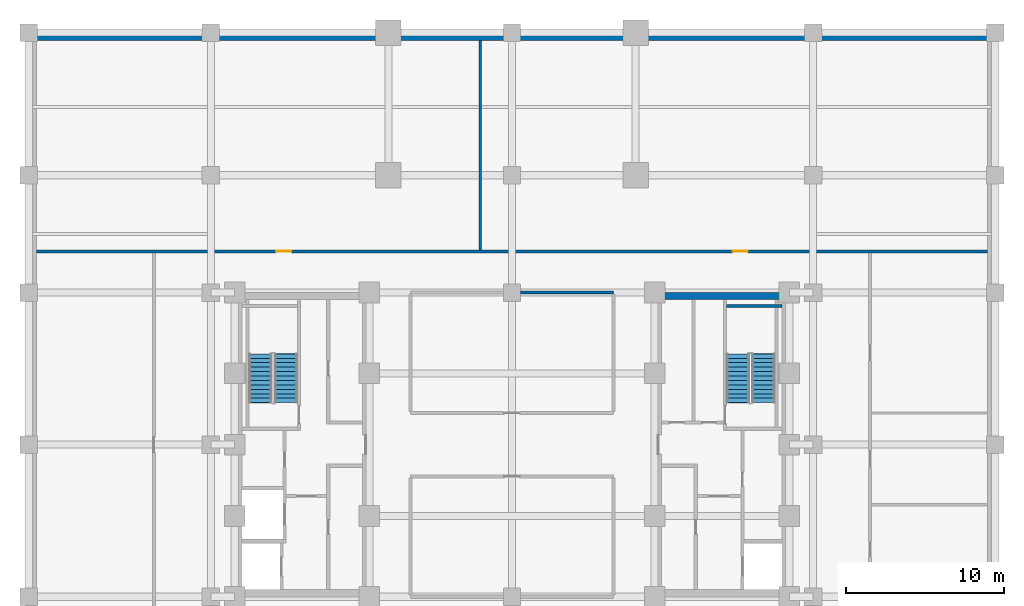
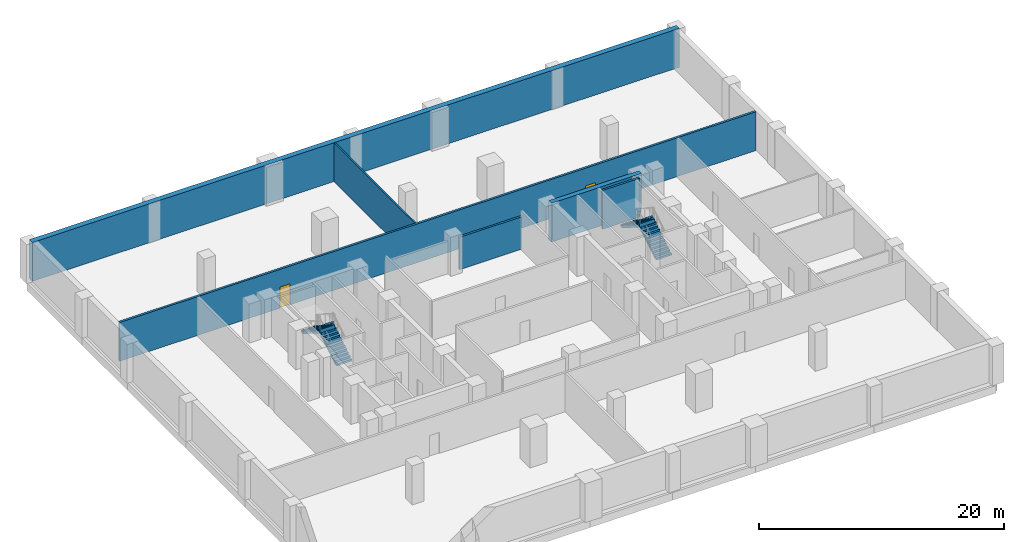
# One storey, part 5 of 6: 6 walls, 4 stair flights, 2 doors, 2 openings, 2 elements without a shape of their own.
"""IFC4 building model written with IfcOpenShell, lengths in metres."""

from ifc_helpers import new_model, si_unit, direction, frame, frame_2d, origin, place, context, subcontext, project, spatial, polyline, rectangle, outline, extrude, source, transform, mapped, material, layer, layer_set, type_object, type_shapes, element, fill, aggregate, save


model = new_model("IFC4")

# Units and contexts
model_context = context("Model", 3, precision=1e-05, world=origin(), true_north=direction((0.0, 1.0)))
body_context = subcontext(model_context, "Body", "Model", "MODEL_VIEW")
ifc_project = project(units=[si_unit("LENGTHUNIT", "METRE"), si_unit("AREAUNIT", "SQUARE_METRE"), si_unit("VOLUMEUNIT", "CUBIC_METRE"), si_unit("PLANEANGLEUNIT", "RADIAN"), si_unit("MASSUNIT", "GRAM", prefix="KILO")], contexts=[model_context])

# Site, building, storey
site_placement = place(None, origin())
site = spatial("IfcSite", under=ifc_project, at=site_placement, CompositionType="ELEMENT")
building_placement = place(site_placement, origin())
building = spatial("IfcBuilding", under=site, at=building_placement, Name="Nuvemarco Arch Tower", CompositionType="ELEMENT")
storey_placement = place(building_placement, frame((0.0, 0.0, -4.199951171875)))
storey = spatial("IfcBuildingStorey", under=building, at=storey_placement, Name="B01", CompositionType="ELEMENT", Elevation=-4.199951171875)

# Walls
ifc_material_1 = material(Name="Concrete C60/75", Category="concrete")
ifc_layer_1 = layer(ifc_material_1, 0.449951171875, Name="WL-CORE-450")
ifc_layer_set_1 = layer_set([ifc_layer_1], Name="Concrete C60/75")
wall_type_1 = type_object("IfcWallType", Name="WL-CORE-450", PredefinedType="SHEAR", material=ifc_layer_set_1)
wall_1_placement = place(storey_placement, frame((9.0, 9.375, 0.0), z_axis=(0.0, 0.0, 1.0), x_axis=(1.0, 0.0, 0.0)))
element("IfcWall", 1, at=wall_1_placement, inside=storey, type_object=wall_type_1, Name="B01 E-core shear wall N", PredefinedType="SHEAR", context=body_context, shape_type="SweptSolid", body=[
    extrude(rectangle(XDim=8.5, YDim=0.449951171875, at=frame_2d((4.25, 0.0))), origin(), (0.0, 0.0, 1.0), 3.8798828125),
])
ifc_material_2 = material(Name="Precast concrete C45/55", Category="concrete")
ifc_layer_2 = layer(ifc_material_2, 0.199951171875, Name="WL-PLANT-200")
ifc_layer_set_2 = layer_set([ifc_layer_2], Name="Precast concrete C45/55")
wall_type_2 = type_object("IfcWallType", Name="WL-PLANT-200", PredefinedType="STANDARD", material=ifc_layer_set_2)
wall_2_placement = place(storey_placement, frame((0.5458984375, 9.60009765625, 0.0), z_axis=(0.0, 0.0, 1.0), x_axis=(1.0, 0.0, 0.0)))
element("IfcWall", 2, at=wall_2_placement, inside=storey, type_object=wall_type_2, Name="B01 interior wall IW-B01-010", PredefinedType="STANDARD", context=body_context, shape_type="SweptSolid", body=[
    extrude(rectangle(XDim=5.85400390625, YDim=0.199951171875, at=frame_2d((2.927001953125, 0.0))), origin(), (0.0, 0.0, 1.0), 3.23486328125),
])

# Wall, openings, doors
wall_3_placement = place(storey_placement, frame((-30.0, 12.199951171875, 0.0), z_axis=(0.0, 0.0, 1.0), x_axis=(1.0, 0.0, 0.0)))
wall_3 = element("IfcWall", 3, at=wall_3_placement, inside=storey, type_object=wall_type_2, Name="B01 interior wall IW-B01-011", PredefinedType="STANDARD", context=body_context, shape_type="SweptSolid", body=[
    extrude(rectangle(XDim=60.0, YDim=0.199951171875, at=frame_2d((30.0, 0.0))), origin(), (0.0, 0.0, 1.0), 3.869873046875),
])
opening_1_placement = place(wall_3_placement, frame((15.1201171875, 0.0, 0.0)))
opening_1 = element("IfcOpeningElement", 4, at=opening_1_placement, cuts=wall_3, Name="Opening FD-5", PredefinedType="OPENING", context=body_context, shape_type="SweptSolid", body=[
    extrude(rectangle(XDim=0.9599609375, YDim=2.10009765625, at=frame_2d((0.47998046875, 1.050048828125))), frame((0.0, 0.10986328125, 0.0), z_axis=(0.0, -1.0, 0.0), x_axis=(1.0, 0.0, 0.0)), (0.0, 0.0, 1.0), 0.219970703125),
])
opening_2_placement = place(wall_3_placement, frame((43.919921875, 0.0, 0.0)))
opening_2 = element("IfcOpeningElement", 5, at=opening_2_placement, cuts=wall_3, Name="Opening FD-5", PredefinedType="OPENING", context=body_context, shape_type="SweptSolid", body=[
    extrude(rectangle(XDim=0.9599609375, YDim=2.10009765625, at=frame_2d((0.47998046875, 1.050048828125))), frame((0.0, 0.10986328125, 0.0), z_axis=(0.0, -1.0, 0.0), x_axis=(1.0, 0.0, 0.0)), (0.0, 0.0, 1.0), 0.219970703125),
])
ifc_material_3 = material(Name="Timber fire door", Category="wood")
door_type = type_object("IfcDoorType", Name="DR-CORR-FD", OperationType="NOTDEFINED", PredefinedType="DOOR", material=ifc_material_3)
shared_shape = source(origin(), body_context, "Body", "SweptSolid", [
    extrude(rectangle(XDim=0.9599609375, YDim=2.10009765625, at=frame_2d((0.47998046875, 1.050048828125))), frame((0.0, 0.02490234375, 0.0), z_axis=(0.0, -1.0, 0.0), x_axis=(1.0, 0.0, 0.0)), (0.0, 0.0, 1.0), 0.050048828125),
])
type_shapes(door_type, [shared_shape])
door_1_placement = place(opening_1_placement, origin())
door_1 = element("IfcDoor", 6, at=door_1_placement, inside=storey, type_object=door_type, Name="B01 door DR-B01-B01_ARCH", OperationType="SINGLE_SWING_RIGHT", OverallHeight=2.10009765625, OverallWidth=0.9599609375, PredefinedType="DOOR", context=body_context, shape_type="MappedRepresentation", body=[
    mapped(shared_shape, transform((0.0, 0.0, 0.0), scale=1.0)),
])
fill(opening_1, door_1)
door_2_placement = place(opening_2_placement, origin())
door_2 = element("IfcDoor", 7, at=door_2_placement, inside=storey, type_object=door_type, Name="B01 door DR-B01-B01_BIKE", OperationType="SINGLE_SWING_LEFT", OverallHeight=2.10009765625, OverallWidth=0.9599609375, PredefinedType="DOOR", context=body_context, shape_type="MappedRepresentation", body=[
    mapped(shared_shape, transform((0.0, 0.0, 0.0), scale=1.0)),
])
fill(opening_2, door_2)

# Walls
ifc_material_4 = material(Name="Concrete C50/60", Category="concrete")
ifc_layer_3 = layer(ifc_material_4, 0.5, Name="WL-RET-500")
ifc_layer_set_3 = layer_set([ifc_layer_3], Name="Concrete C50/60")
wall_type_3 = type_object("IfcWallType", Name="WL-RET-500", PredefinedType="SOLIDWALL", material=ifc_layer_set_3)
wall_4_placement = place(storey_placement, frame((-30.5, 25.75, 0.0), z_axis=(0.0, 0.0, 1.0), x_axis=(1.0, 0.0, 0.0)))
element("IfcWall", 8, at=wall_4_placement, inside=storey, type_object=wall_type_3, Name="B01 perimeter retaining wall N", PredefinedType="SOLIDWALL", context=body_context, shape_type="SweptSolid", body=[
    extrude(rectangle(XDim=61.0, YDim=0.5, at=frame_2d((30.5, 0.0))), origin(), (0.0, 0.0, 1.0), 3.8798828125),
])
ifc_material_5 = material(Name="Gypsum plasterboard partition")
ifc_layer_4 = layer(ifc_material_5, 0.139892578125, Name="WL-ROOM-140")
ifc_layer_set_4 = layer_set([ifc_layer_4], Name="Gypsum plasterboard partition")
wall_type_4 = type_object("IfcWallType", Name="WL-ROOM-140", PredefinedType="PARTITIONING", material=ifc_layer_set_4)
wall_5_placement = place(storey_placement, frame((-2.0, 12.2958984375, 0.0), z_axis=(0.0, 0.0, 1.0), x_axis=(0.0, 1.0, 0.0)))
element("IfcWall", 9, at=wall_5_placement, inside=storey, type_object=wall_type_4, Name="B01 interior wall IW-B01-016", PredefinedType="PARTITIONING", context=body_context, shape_type="SweptSolid", body=[
    extrude(rectangle(XDim=13.2041015625, YDim=0.139892578125, at=frame_2d((6.60205078125, 0.0))), origin(), (0.0, 0.0, 1.0), 3.869873046875),
])
ifc_layer_5 = layer(ifc_material_4, 0.199951171875, Name="WL-SHAFT-220")
ifc_layer_set_5 = layer_set([ifc_layer_5], Name="Concrete C50/60")
wall_type_5 = type_object("IfcWallType", Name="WL-SHAFT-220", PredefinedType="SHEAR", material=ifc_layer_set_5)
wall_6_placement = place(storey_placement, frame((13.534912109375, 8.75, 0.0), z_axis=(0.0, 0.0, 1.0), x_axis=(1.0, 0.0, 0.0)))
element("IfcWall", 10, at=wall_6_placement, inside=storey, type_object=wall_type_5, Name="B01 structural shaft wall SW-B01-E-ST2N", PredefinedType="SHEAR", context=body_context, shape_type="SweptSolid", body=[
    extrude(rectangle(XDim=3.52001953125, YDim=0.199951171875, at=frame_2d((1.760009765625, 0.0))), origin(), (0.0, 0.0, 1.0), 3.8798828125),
])

# Stair, stair flights
stair_type = type_object("IfcStairType", Name="ST-CORE-24R", PredefinedType="HALF_TURN_STAIR", material=ifc_material_2)
stair_1_placement = place(storey_placement, origin())
stair_1 = element("IfcStair", 11, at=stair_1_placement, inside=storey, type_object=stair_type, Name="B01 Protected Exit Stair ST-1", PredefinedType="HALF_TURN_STAIR")
stair_flight_type = type_object("IfcStairFlightType", Name="SF-CORE-24R", PredefinedType="STRAIGHT", material=ifc_material_2)
stair_flight_1_placement = place(storey_placement, frame((-14.264892578125, 2.64990234375, 0.0), z_axis=(0.0, 0.0, 1.0), x_axis=(0.0, 1.0, 0.0)))
stair_flight_1 = element("IfcStairFlight", 12, at=stair_flight_1_placement, type_object=stair_flight_type, Name="ST-24R flight 1", NumberOfRisers=12, NumberOfTreads=11, PredefinedType="STRAIGHT", RiserHeight=0.175, TreadLength=0.28, context=body_context, shape_type="SweptSolid", body=[
    extrude(outline(polyline([(0.0, 0.0), (0.0, 0.175048828125), (0.280029296875, 0.175048828125), (0.280029296875, 0.35009765625), (0.56005859375, 0.35009765625), (0.56005859375, 0.52490234375), (0.840087890625, 0.52490234375), (0.840087890625, 0.699951171875), (1.1201171875, 0.699951171875), (1.1201171875, 0.875), (1.39990234375, 0.875), (1.39990234375, 1.050048828125), (1.679931640625, 1.050048828125), (1.679931640625, 1.22509765625), (1.9599609375, 1.22509765625), (1.9599609375, 1.39990234375), (2.239990234375, 1.39990234375), (2.239990234375, 1.574951171875), (2.52001953125, 1.574951171875), (2.52001953125, 1.75), (2.800048828125, 1.75), (2.800048828125, 1.925048828125), (3.080078125, 1.925048828125), (3.080078125, 2.10009765625), (3.10009765625, 2.10009765625), (3.10009765625, 1.736328125), (0.32177734375, 0.0), (0.0, 0.0)])), frame((0.0, 0.72509765625, 0.0), z_axis=(0.0, -1.0, 0.0), x_axis=(1.0, 0.0, 0.0)), (0.0, 0.0, 1.0), 1.449951171875),
])
stair_flight_2_placement = place(storey_placement, frame((-15.875, 5.72998046875, 2.099853515625), z_axis=(0.0, 0.0, 1.0), x_axis=(0.0, -1.0, 0.0)))
stair_flight_2 = element("IfcStairFlight", 13, at=stair_flight_2_placement, type_object=stair_flight_type, Name="ST-24R flight 2", NumberOfRisers=12, NumberOfTreads=11, PredefinedType="STRAIGHT", RiserHeight=0.175, TreadLength=0.28, context=body_context, shape_type="SweptSolid", body=[
    extrude(outline(polyline([(0.0, 0.0), (0.0, 0.175048828125), (0.280029296875, 0.175048828125), (0.280029296875, 0.35009765625), (0.56005859375, 0.35009765625), (0.56005859375, 0.52490234375), (0.840087890625, 0.52490234375), (0.840087890625, 0.699951171875), (1.1201171875, 0.699951171875), (1.1201171875, 0.875), (1.39990234375, 0.875), (1.39990234375, 1.050048828125), (1.679931640625, 1.050048828125), (1.679931640625, 1.22509765625), (1.9599609375, 1.22509765625), (1.9599609375, 1.39990234375), (2.239990234375, 1.39990234375), (2.239990234375, 1.574951171875), (2.52001953125, 1.574951171875), (2.52001953125, 1.75), (2.800048828125, 1.75), (2.800048828125, 1.925048828125), (3.080078125, 1.925048828125), (3.080078125, 2.10009765625), (3.10009765625, 2.10009765625), (3.10009765625, 1.736328125), (0.32177734375, 0.0), (0.0, 0.0)])), frame((0.0, 0.72509765625, 0.0), z_axis=(0.0, -1.0, 0.0), x_axis=(1.0, 0.0, 0.0)), (0.0, 0.0, 1.0), 1.449951171875),
])
aggregate(stair_1, [stair_flight_1, stair_flight_2])

stair_2_placement = place(storey_placement, origin())
stair_2 = element("IfcStair", 14, at=stair_2_placement, inside=storey, type_object=stair_type, Name="B01 Protected Exit Stair ST-2", PredefinedType="HALF_TURN_STAIR")
stair_flight_3_placement = place(storey_placement, frame((15.875, 2.64990234375, 0.0), z_axis=(0.0, 0.0, 1.0), x_axis=(0.0, 1.0, 0.0)))
stair_flight_3 = element("IfcStairFlight", 15, at=stair_flight_3_placement, type_object=stair_flight_type, Name="ST-24R flight 1", NumberOfRisers=12, NumberOfTreads=11, PredefinedType="STRAIGHT", RiserHeight=0.175, TreadLength=0.28, context=body_context, shape_type="SweptSolid", body=[
    extrude(outline(polyline([(0.0, 0.0), (0.0, 0.175048828125), (0.280029296875, 0.175048828125), (0.280029296875, 0.35009765625), (0.56005859375, 0.35009765625), (0.56005859375, 0.52490234375), (0.840087890625, 0.52490234375), (0.840087890625, 0.699951171875), (1.1201171875, 0.699951171875), (1.1201171875, 0.875), (1.39990234375, 0.875), (1.39990234375, 1.050048828125), (1.679931640625, 1.050048828125), (1.679931640625, 1.22509765625), (1.9599609375, 1.22509765625), (1.9599609375, 1.39990234375), (2.239990234375, 1.39990234375), (2.239990234375, 1.574951171875), (2.52001953125, 1.574951171875), (2.52001953125, 1.75), (2.800048828125, 1.75), (2.800048828125, 1.925048828125), (3.080078125, 1.925048828125), (3.080078125, 2.10009765625), (3.10009765625, 2.10009765625), (3.10009765625, 1.736328125), (0.32177734375, 0.0), (0.0, 0.0)])), frame((0.0, 0.72509765625, 0.0), z_axis=(0.0, -1.0, 0.0), x_axis=(1.0, 0.0, 0.0)), (0.0, 0.0, 1.0), 1.449951171875),
])
stair_flight_4_placement = place(storey_placement, frame((14.264892578125, 5.72998046875, 2.099853515625), z_axis=(0.0, 0.0, 1.0), x_axis=(0.0, -1.0, 0.0)))
stair_flight_4 = element("IfcStairFlight", 16, at=stair_flight_4_placement, type_object=stair_flight_type, Name="ST-24R flight 2", NumberOfRisers=12, NumberOfTreads=11, PredefinedType="STRAIGHT", RiserHeight=0.175, TreadLength=0.28, context=body_context, shape_type="SweptSolid", body=[
    extrude(outline(polyline([(0.0, 0.0), (0.0, 0.175048828125), (0.280029296875, 0.175048828125), (0.280029296875, 0.35009765625), (0.56005859375, 0.35009765625), (0.56005859375, 0.52490234375), (0.840087890625, 0.52490234375), (0.840087890625, 0.699951171875), (1.1201171875, 0.699951171875), (1.1201171875, 0.875), (1.39990234375, 0.875), (1.39990234375, 1.050048828125), (1.679931640625, 1.050048828125), (1.679931640625, 1.22509765625), (1.9599609375, 1.22509765625), (1.9599609375, 1.39990234375), (2.239990234375, 1.39990234375), (2.239990234375, 1.574951171875), (2.52001953125, 1.574951171875), (2.52001953125, 1.75), (2.800048828125, 1.75), (2.800048828125, 1.925048828125), (3.080078125, 1.925048828125), (3.080078125, 2.10009765625), (3.10009765625, 2.10009765625), (3.10009765625, 1.736328125), (0.32177734375, 0.0), (0.0, 0.0)])), frame((0.0, 0.72509765625, 0.0), z_axis=(0.0, -1.0, 0.0), x_axis=(1.0, 0.0, 0.0)), (0.0, 0.0, 1.0), 1.449951171875),
])
aggregate(stair_2, [stair_flight_3, stair_flight_4])

save(model, "model.ifc")
